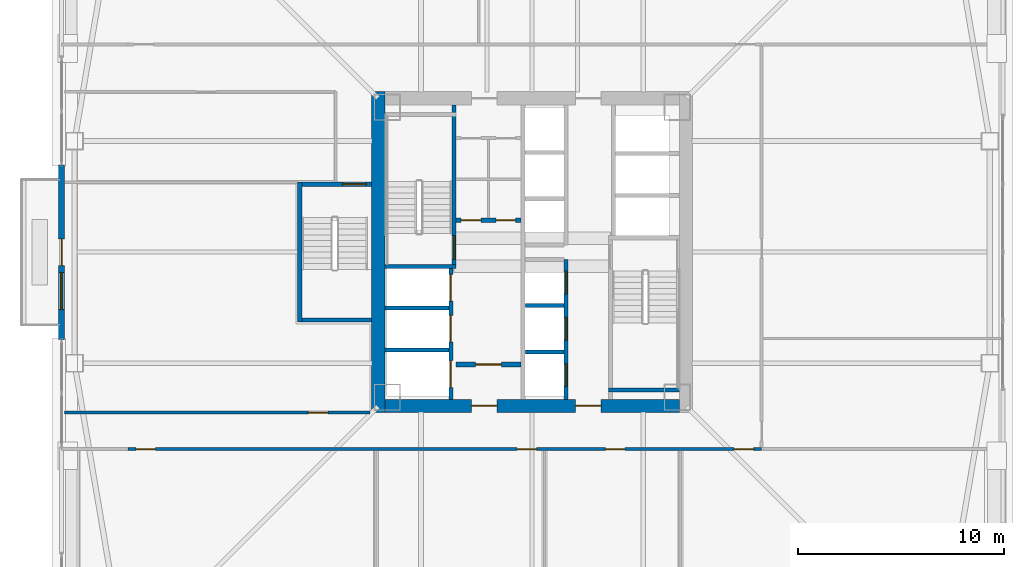
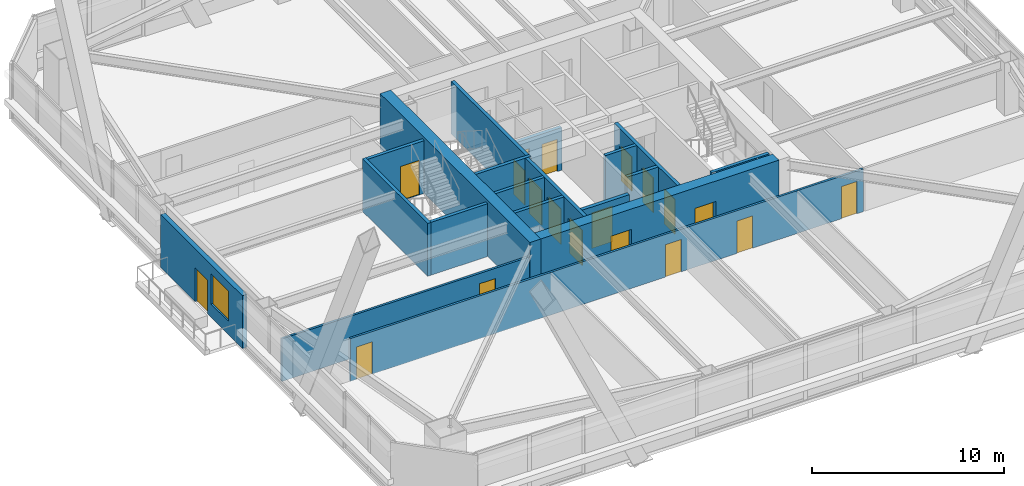
# One storey, part 62 of 75: 19 doors, 19 walls, 1 window, 20 openings.
"""IFC4 building model written with IfcOpenShell, lengths in metres."""

from ifc_helpers import new_model, si_unit, direction, frame, frame_2d, origin, place, context, subcontext, project, spatial, rectangle, extrude, material, layer, layer_set, type_object, element, fill, save


model = new_model("IFC4")

# Units and contexts
model_context = context("Model", 3, precision=1e-05, world=origin(), true_north=direction((0.0, 1.0)))
body_context = subcontext(model_context, "Body", "Model", "MODEL_VIEW")
ifc_project = project(units=[si_unit("LENGTHUNIT", "METRE"), si_unit("AREAUNIT", "SQUARE_METRE"), si_unit("VOLUMEUNIT", "CUBIC_METRE"), si_unit("PLANEANGLEUNIT", "RADIAN"), si_unit("MASSUNIT", "GRAM", prefix="KILO")], contexts=[model_context])

# Site, building, storey
site_placement = place(None, origin())
site = spatial("IfcSite", under=ifc_project, at=site_placement, CompositionType="ELEMENT")
building_placement = place(site_placement, origin())
building = spatial("IfcBuilding", under=site, at=building_placement, Name="Tashvorn Skyway Center", CompositionType="ELEMENT")
storey_placement = place(building_placement, frame((0.0, 0.0, 45.89990234375)))
storey = spatial("IfcBuildingStorey", under=building, at=storey_placement, Name="L11", CompositionType="ELEMENT", Elevation=45.89990234375)

# Wall
ifc_material_1 = material(Name="Concrete C60/75", Category="concrete")
ifc_layer_1 = layer(ifc_material_1, 0.64990234375)
ifc_layer_set_1 = layer_set([ifc_layer_1], Name="Concrete C60/75")
wall_type_1 = type_object("IfcWallType", Name="WALL-CORE-650", PredefinedType="SHEAR", material=ifc_layer_set_1)
wall_1_placement = place(storey_placement, frame((34.52490234375, 24.199951171875, 0.0), z_axis=(0.0, 0.0, 1.0), x_axis=(0.0, 1.0, 0.0)))
element("IfcWall", 1, at=wall_1_placement, inside=storey, type_object=wall_type_1, Name="Tower 1 L11 West Core Shear Wall", PredefinedType="SHEAR", context=body_context, shape_type="SweptSolid", body=[
    extrude(rectangle(XDim=15.60009765625, YDim=0.64990234375, at=frame_2d((7.800048828125, 0.0))), origin(), (0.0, 0.0, 1.0), 3.550048828125),
])

# Wall, openings, doors
wall_2_placement = place(storey_placement, frame((49.14990234375, 24.52490234375, 0.0), z_axis=(0.0, 0.0, 1.0), x_axis=(-1.0, 0.0, 0.0)))
wall_2 = element("IfcWall", 2, at=wall_2_placement, inside=storey, type_object=wall_type_1, Name="Tower 1 L11 South Core Shear Wall", PredefinedType="SHEAR", context=body_context, shape_type="SweptSolid", body=[
    extrude(rectangle(XDim=14.2998046875, YDim=0.64990234375, at=frame_2d((7.14990234375, 0.0))), origin(), (0.0, 0.0, 1.0), 3.550048828125),
])
opening_1_placement = place(wall_2_placement, frame((8.85009765625, 0.0, 0.0)))
opening_1 = element("IfcOpeningElement", 3, at=opening_1_placement, cuts=wall_2, Name="Opening D-FFL-1250", PredefinedType="OPENING", context=body_context, shape_type="SweptSolid", body=[
    extrude(rectangle(XDim=1.25, YDim=2.25, at=frame_2d((0.625, 1.125))), frame((0.0, 0.3349609375, 0.0), z_axis=(0.0, -1.0, 0.0), x_axis=(1.0, 0.0, 0.0)), (0.0, 0.0, 1.0), 0.669921875),
])
opening_2_placement = place(wall_2_placement, frame((3.800048828125, 0.0, 0.0)))
opening_2 = element("IfcOpeningElement", 4, at=opening_2_placement, cuts=wall_2, Name="Opening D-FFL-1250", PredefinedType="OPENING", context=body_context, shape_type="SweptSolid", body=[
    extrude(rectangle(XDim=1.25, YDim=2.25, at=frame_2d((0.625, 1.125))), frame((0.0, 0.3349609375, 0.0), z_axis=(0.0, -1.0, 0.0), x_axis=(1.0, 0.0, 0.0)), (0.0, 0.0, 1.0), 0.669921875),
])
ifc_material_2 = material(Name="Hollow galvanized steel fire door assembly", Category="steel")
door_type_1 = type_object("IfcDoorType", Name="DOOR-FFL-1250", OperationType="NOTDEFINED", PredefinedType="DOOR", material=ifc_material_2)
door_1_placement = place(opening_1_placement, origin())
door_1 = element("IfcDoor", 5, at=door_1_placement, inside=storey, type_object=door_type_1, Name="Tower 1 L11 Core South Firefighting Exit Door", OperationType="SINGLE_SWING_LEFT", OverallHeight=2.25, OverallWidth=1.25, PredefinedType="DOOR", context=body_context, shape_type="SweptSolid", body=[
    extrude(rectangle(XDim=1.25, YDim=2.25, at=frame_2d((0.625, 1.125))), frame((0.0, 0.02490234375, 0.0), z_axis=(0.0, -1.0, 0.0), x_axis=(1.0, 0.0, 0.0)), (0.0, 0.0, 1.0), 0.050048828125),
])
fill(opening_1, door_1)
door_2_placement = place(opening_2_placement, origin())
door_2 = element("IfcDoor", 6, at=door_2_placement, inside=storey, type_object=door_type_1, Name="Tower 1 L11 Core South Lift Lobby Door", OperationType="SINGLE_SWING_RIGHT", OverallHeight=2.25, OverallWidth=1.25, PredefinedType="DOOR", context=body_context, shape_type="SweptSolid", body=[
    extrude(rectangle(XDim=1.25, YDim=2.25, at=frame_2d((0.625, 1.125))), frame((0.0, 0.02490234375, 0.0), z_axis=(0.0, -1.0, 0.0), x_axis=(1.0, 0.0, 0.0)), (0.0, 0.0, 1.0), 0.050048828125),
])
fill(opening_2, door_2)

# Wall, openings, door, window
ifc_material_3 = material(Name="Precast concrete C40/50", Category="concrete")
ifc_layer_2 = layer(ifc_material_3, 0.280029296875)
ifc_layer_set_2 = layer_set([ifc_layer_2], Name="Precast concrete C40/50")
wall_type_2 = type_object("IfcWallType", Name="WALL-EXT-280", PredefinedType="SOLIDWALL", material=ifc_layer_set_2)
wall_3_placement = place(storey_placement, frame((19.1201171875, 27.75, 0.0), z_axis=(0.0, 0.0, 1.0), x_axis=(0.0, 1.0, 0.0)))
wall_3 = element("IfcWall", 7, at=wall_3_placement, inside=storey, type_object=wall_type_2, Name="Tower 1 L11 West Terrace Portal Wall", PredefinedType="SOLIDWALL", context=body_context, shape_type="SweptSolid", body=[
    extrude(rectangle(XDim=8.5, YDim=0.280029296875, at=frame_2d((4.25, 0.0))), origin(), (0.0, 0.0, 1.0), 3.35009765625),
])
opening_3_placement = place(wall_3_placement, frame((3.60009765625, 0.0, 0.0)))
opening_3 = element("IfcOpeningElement", 8, at=opening_3_placement, cuts=wall_3, Name="Opening D-TER-1300", PredefinedType="OPENING", context=body_context, shape_type="SweptSolid", body=[
    extrude(rectangle(XDim=1.300048828125, YDim=2.14990234375, at=frame_2d((0.64990234375, 1.074951171875))), frame((0.0, 0.14990234375, 0.0), z_axis=(0.0, -1.0, 0.0), x_axis=(1.0, 0.0, 0.0)), (0.0, 0.0, 1.0), 0.300048828125),
])
opening_4_placement = place(wall_3_placement, frame((1.4599609375, 0.0, 0.85009765625)))
opening_4 = element("IfcOpeningElement", 9, at=opening_4_placement, cuts=wall_3, Name="Opening WIN-1800", PredefinedType="OPENING", context=body_context, shape_type="SweptSolid", body=[
    extrude(rectangle(XDim=1.800048828125, YDim=1.919921875, at=frame_2d((0.89990234375, 0.9599609375))), frame((0.0, 0.14990234375, 0.0), z_axis=(0.0, -1.0, 0.0), x_axis=(1.0, 0.0, 0.0)), (0.0, 0.0, 1.0), 0.300048828125),
])
ifc_material_4 = material(Name="Thermally broken bronze-anodized aluminium 6063-T6", Category="aluminium")
door_type_2 = type_object("IfcDoorType", Name="DOOR-TERR-1300", OperationType="NOTDEFINED", PredefinedType="DOOR", material=ifc_material_4)
door_3_placement = place(opening_3_placement, origin())
door_3 = element("IfcDoor", 10, at=door_3_placement, inside=storey, type_object=door_type_2, Name="Tower 1 L11 Terrace Access Door", OperationType="SINGLE_SWING_LEFT", OverallHeight=2.14990234375, OverallWidth=1.300048828125, PredefinedType="DOOR", context=body_context, shape_type="SweptSolid", body=[
    extrude(rectangle(XDim=1.300048828125, YDim=2.14990234375, at=frame_2d((0.64990234375, 1.074951171875))), frame((0.0, 0.02490234375, 0.0), z_axis=(0.0, -1.0, 0.0), x_axis=(1.0, 0.0, 0.0)), (0.0, 0.0, 1.0), 0.050048828125),
])
fill(opening_3, door_3)
ifc_material_5 = material(Name="Low-E solar-control double insulating safety glass", Category="glass")
window_type = type_object("IfcWindowType", Name="WIN-TERR-1800", PartitioningType="SINGLE_PANEL", PredefinedType="WINDOW", material=ifc_material_5)
window_placement = place(opening_4_placement, origin())
window = element("IfcWindow", 11, at=window_placement, inside=storey, type_object=window_type, Name="Tower 1 L11 Terrace Window", OverallHeight=1.919921875, OverallWidth=1.800048828125, PartitioningType="SINGLE_PANEL", PredefinedType="WINDOW", context=body_context, shape_type="SweptSolid", body=[
    extrude(rectangle(XDim=1.800048828125, YDim=1.919921875, at=frame_2d((0.89990234375, 0.9599609375))), frame((0.0, 0.030029296875, 0.0), z_axis=(0.0, -1.0, 0.0), x_axis=(1.0, 0.0, 0.0)), (0.0, 0.0, 1.0), 0.06005859375),
])
fill(opening_4, window)

# Wall, openings, doors
ifc_material_6 = material(Name="Concrete C40/50", Category="concrete")
ifc_layer_3 = layer(ifc_material_6, 0.219970703125)
ifc_layer_set_3 = layer_set([ifc_layer_3], Name="Concrete C40/50")
wall_type_3 = type_object("IfcWallType", Name="WALL-FFL-220", PredefinedType="SOLIDWALL", material=ifc_layer_set_3)
wall_4_placement = place(storey_placement, frame((38.300048828125, 33.56005859375, 0.0), z_axis=(0.0, 0.0, 1.0), x_axis=(1.0, 0.0, 0.0)))
wall_4 = element("IfcWall", 12, at=wall_4_placement, inside=storey, type_object=wall_type_3, Name="Tower 1 L11 Firefighting Lobby North Wall", PredefinedType="SOLIDWALL", context=body_context, shape_type="SweptSolid", body=[
    extrude(rectangle(XDim=3.14990234375, YDim=0.219970703125, at=frame_2d((1.574951171875, 0.0))), origin(), (0.0, 0.0, 1.0), 2.703125),
])
opening_5_placement = place(wall_4_placement, frame((0.25, 0.0, 0.0)))
opening_5 = element("IfcOpeningElement", 13, at=opening_5_placement, cuts=wall_4, Name="Opening D-RT-950", PredefinedType="OPENING", context=body_context, shape_type="SweptSolid", body=[
    extrude(rectangle(XDim=0.949951171875, YDim=2.050048828125, at=frame_2d((0.47509765625, 1.02490234375))), frame((0.0, 0.119873046875, 0.0), z_axis=(0.0, -1.0, 0.0), x_axis=(1.0, 0.0, 0.0)), (0.0, 0.0, 1.0), 0.239990234375),
])
opening_6_placement = place(wall_4_placement, frame((1.949951171875, 0.0, 0.0)))
opening_6 = element("IfcOpeningElement", 14, at=opening_6_placement, cuts=wall_4, Name="Opening D-RT-950", PredefinedType="OPENING", context=body_context, shape_type="SweptSolid", body=[
    extrude(rectangle(XDim=0.949951171875, YDim=2.050048828125, at=frame_2d((0.47509765625, 1.02490234375))), frame((0.0, 0.119873046875, 0.0), z_axis=(0.0, -1.0, 0.0), x_axis=(1.0, 0.0, 0.0)), (0.0, 0.0, 1.0), 0.239990234375),
])
door_type_3 = type_object("IfcDoorType", Name="DOOR-RATED-950", OperationType="NOTDEFINED", PredefinedType="DOOR", material=ifc_material_2)
door_4_placement = place(opening_5_placement, origin())
door_4 = element("IfcDoor", 15, at=door_4_placement, inside=storey, type_object=door_type_3, Name="Tower 1 L11 Core Mail Room Door", OperationType="SINGLE_SWING_LEFT", OverallHeight=2.050048828125, OverallWidth=0.949951171875, PredefinedType="DOOR", context=body_context, shape_type="SweptSolid", body=[
    extrude(rectangle(XDim=0.949951171875, YDim=2.050048828125, at=frame_2d((0.47509765625, 1.02490234375))), frame((0.0, 0.02490234375, 0.0), z_axis=(0.0, -1.0, 0.0), x_axis=(1.0, 0.0, 0.0)), (0.0, 0.0, 1.0), 0.050048828125),
])
fill(opening_5, door_4)
door_5_placement = place(opening_6_placement, origin())
door_5 = element("IfcDoor", 16, at=door_5_placement, inside=storey, type_object=door_type_3, Name="Tower 1 L11 Core Supply Closet Door", OperationType="SINGLE_SWING_RIGHT", OverallHeight=2.050048828125, OverallWidth=0.949951171875, PredefinedType="DOOR", context=body_context, shape_type="SweptSolid", body=[
    extrude(rectangle(XDim=0.949951171875, YDim=2.050048828125, at=frame_2d((0.47509765625, 1.02490234375))), frame((0.0, 0.02490234375, 0.0), z_axis=(0.0, -1.0, 0.0), x_axis=(1.0, 0.0, 0.0)), (0.0, 0.0, 1.0), 0.050048828125),
])
fill(opening_6, door_5)

# Wall, opening, door
wall_5_placement = place(storey_placement, frame((38.300048828125, 26.5400390625, 0.0), z_axis=(0.0, 0.0, 1.0), x_axis=(1.0, 0.0, 0.0)))
wall_5 = element("IfcWall", 17, at=wall_5_placement, inside=storey, type_object=wall_type_3, Name="Tower 1 L11 Firefighting Lobby South Wall", PredefinedType="SOLIDWALL", context=body_context, shape_type="SweptSolid", body=[
    extrude(rectangle(XDim=3.14990234375, YDim=0.219970703125, at=frame_2d((1.574951171875, 0.0))), origin(), (0.0, 0.0, 1.0), 2.703125),
])
opening_7_placement = place(wall_5_placement, frame((0.949951171875, 0.0, 0.0)))
opening_7 = element("IfcOpeningElement", 18, at=opening_7_placement, cuts=wall_5, Name="Opening D-FFL-1250", PredefinedType="OPENING", context=body_context, shape_type="SweptSolid", body=[
    extrude(rectangle(XDim=1.25, YDim=2.25, at=frame_2d((0.625, 1.125))), frame((0.0, 0.119873046875, 0.0), z_axis=(0.0, -1.0, 0.0), x_axis=(1.0, 0.0, 0.0)), (0.0, 0.0, 1.0), 0.239990234375),
])
door_6_placement = place(opening_7_placement, origin())
door_6 = element("IfcDoor", 19, at=door_6_placement, inside=storey, type_object=door_type_1, Name="Tower 1 L11 Firefighting Lobby Egress Door", OperationType="SINGLE_SWING_LEFT", OverallHeight=2.25, OverallWidth=1.25, PredefinedType="DOOR", context=body_context, shape_type="SweptSolid", body=[
    extrude(rectangle(XDim=1.25, YDim=2.25, at=frame_2d((0.625, 1.125))), frame((0.0, 0.02490234375, 0.0), z_axis=(0.0, -1.0, 0.0), x_axis=(1.0, 0.0, 0.0)), (0.0, 0.0, 1.0), 0.050048828125),
])
fill(opening_7, door_6)

# Wall, openings, doors
ifc_material_7 = material(Name="Gypsum board on cold-formed steel stud framing", Category="steel")
ifc_layer_4 = layer(ifc_material_7, 0.135009765625)
ifc_layer_set_4 = layer_set([ifc_layer_4], Name="Gypsum board on cold-formed steel stud framing")
wall_type_4 = type_object("IfcWallType", Name="WALL-PART-135", PredefinedType="PARTITIONING", material=ifc_layer_set_4)
wall_6_placement = place(storey_placement, frame((53.14990234375, 22.429931640625, 0.0), z_axis=(0.0, 0.0, 1.0), x_axis=(-1.0, 0.0, 0.0)))
wall_6 = element("IfcWall", 20, at=wall_6_placement, inside=storey, type_object=wall_type_4, Name="Tower 1 L11 South Suite Wall", PredefinedType="PARTITIONING", context=body_context, shape_type="SweptSolid", body=[
    extrude(rectangle(XDim=30.7998046875, YDim=0.135009765625, at=frame_2d((15.39990234375, 0.0))), origin(), (0.0, 0.0, 1.0), 2.703125),
])
opening_8_placement = place(wall_6_placement, frame((29.469970703125, 0.0, 0.0)))
opening_8 = element("IfcOpeningElement", 21, at=opening_8_placement, cuts=wall_6, Name="Opening D-INT-950", PredefinedType="OPENING", context=body_context, shape_type="SweptSolid", body=[
    extrude(rectangle(XDim=0.949951171875, YDim=2.050048828125, at=frame_2d((0.47509765625, 1.02490234375))), frame((0.0, 0.077392578125, 0.0), z_axis=(0.0, -1.0, 0.0), x_axis=(1.0, 0.0, 0.0)), (0.0, 0.0, 1.0), 0.155029296875),
])
opening_9_placement = place(wall_6_placement, frame((10.929931640625, 0.0, 0.0)))
opening_9 = element("IfcOpeningElement", 22, at=opening_9_placement, cuts=wall_6, Name="Opening D-INT-950", PredefinedType="OPENING", context=body_context, shape_type="SweptSolid", body=[
    extrude(rectangle(XDim=0.949951171875, YDim=2.050048828125, at=frame_2d((0.47509765625, 1.02490234375))), frame((0.0, 0.077392578125, 0.0), z_axis=(0.0, -1.0, 0.0), x_axis=(1.0, 0.0, 0.0)), (0.0, 0.0, 1.0), 0.155029296875),
])
opening_10_placement = place(wall_6_placement, frame((6.646240234375, 0.0, 0.0)))
opening_10 = element("IfcOpeningElement", 23, at=opening_10_placement, cuts=wall_6, Name="Opening D-INT-950", PredefinedType="OPENING", context=body_context, shape_type="SweptSolid", body=[
    extrude(rectangle(XDim=0.949951171875, YDim=2.050048828125, at=frame_2d((0.47509765625, 1.02490234375))), frame((0.0, 0.077392578125, 0.0), z_axis=(0.0, -1.0, 0.0), x_axis=(1.0, 0.0, 0.0)), (0.0, 0.0, 1.0), 0.155029296875),
])
opening_11_placement = place(wall_6_placement, frame((0.3798828125, 0.0, 0.0)))
opening_11 = element("IfcOpeningElement", 24, at=opening_11_placement, cuts=wall_6, Name="Opening D-INT-950", PredefinedType="OPENING", context=body_context, shape_type="SweptSolid", body=[
    extrude(rectangle(XDim=0.949951171875, YDim=2.050048828125, at=frame_2d((0.47509765625, 1.02490234375))), frame((0.0, 0.077392578125, 0.0), z_axis=(0.0, -1.0, 0.0), x_axis=(1.0, 0.0, 0.0)), (0.0, 0.0, 1.0), 0.155029296875),
])
ifc_material_8 = material(Name="Solid-core architectural oak veneer door")
door_type_4 = type_object("IfcDoorType", Name="DOOR-INT-950", OperationType="NOTDEFINED", PredefinedType="DOOR", material=ifc_material_8)
door_7_placement = place(opening_8_placement, origin())
door_7 = element("IfcDoor", 25, at=door_7_placement, inside=storey, type_object=door_type_4, Name="Tower 1 L11 Open Plan Office Door", OperationType="SINGLE_SWING_RIGHT", OverallHeight=2.050048828125, OverallWidth=0.949951171875, PredefinedType="DOOR", context=body_context, shape_type="SweptSolid", body=[
    extrude(rectangle(XDim=0.949951171875, YDim=2.050048828125, at=frame_2d((0.47509765625, 1.02490234375))), frame((0.0, 0.02490234375, 0.0), z_axis=(0.0, -1.0, 0.0), x_axis=(1.0, 0.0, 0.0)), (0.0, 0.0, 1.0), 0.050048828125),
])
fill(opening_8, door_7)
door_8_placement = place(opening_9_placement, origin())
door_8 = element("IfcDoor", 26, at=door_8_placement, inside=storey, type_object=door_type_4, Name="Tower 1 L11 Boardroom Door", OperationType="SINGLE_SWING_LEFT", OverallHeight=2.050048828125, OverallWidth=0.949951171875, PredefinedType="DOOR", context=body_context, shape_type="SweptSolid", body=[
    extrude(rectangle(XDim=0.949951171875, YDim=2.050048828125, at=frame_2d((0.47509765625, 1.02490234375))), frame((0.0, 0.02490234375, 0.0), z_axis=(0.0, -1.0, 0.0), x_axis=(1.0, 0.0, 0.0)), (0.0, 0.0, 1.0), 0.050048828125),
])
fill(opening_9, door_8)
door_9_placement = place(opening_10_placement, origin())
door_9 = element("IfcDoor", 27, at=door_9_placement, inside=storey, type_object=door_type_4, Name="Tower 1 L11 Boardroom Door", OperationType="SINGLE_SWING_RIGHT", OverallHeight=2.050048828125, OverallWidth=0.949951171875, PredefinedType="DOOR", context=body_context, shape_type="SweptSolid", body=[
    extrude(rectangle(XDim=0.949951171875, YDim=2.050048828125, at=frame_2d((0.47509765625, 1.02490234375))), frame((0.0, 0.02490234375, 0.0), z_axis=(0.0, -1.0, 0.0), x_axis=(1.0, 0.0, 0.0)), (0.0, 0.0, 1.0), 0.050048828125),
])
fill(opening_10, door_9)
door_10_placement = place(opening_11_placement, origin())
door_10 = element("IfcDoor", 28, at=door_10_placement, inside=storey, type_object=door_type_4, Name="Tower 1 L11 Staff Fitness Club Door", OperationType="SINGLE_SWING_LEFT", OverallHeight=2.050048828125, OverallWidth=0.949951171875, PredefinedType="DOOR", context=body_context, shape_type="SweptSolid", body=[
    extrude(rectangle(XDim=0.949951171875, YDim=2.050048828125, at=frame_2d((0.47509765625, 1.02490234375))), frame((0.0, 0.02490234375, 0.0), z_axis=(0.0, -1.0, 0.0), x_axis=(1.0, 0.0, 0.0)), (0.0, 0.0, 1.0), 0.050048828125),
])
fill(opening_11, door_10)

# Wall, opening, door
wall_7_placement = place(storey_placement, frame((19.27001953125, 24.199951171875, 0.0), z_axis=(0.0, 0.0, 1.0), x_axis=(1.0, 0.0, 0.0)))
wall_7 = element("IfcWall", 29, at=wall_7_placement, inside=storey, type_object=wall_type_4, Name="Tower 1 L11 West Suite South Wall", PredefinedType="PARTITIONING", context=body_context, shape_type="SweptSolid", body=[
    extrude(rectangle(XDim=14.85009765625, YDim=0.135009765625, at=frame_2d((7.425048828125, 0.0))), origin(), (0.0, 0.0, 1.0), 2.703125),
])
opening_12_placement = place(wall_7_placement, frame((11.85498046875, 0.0, 0.0)))
opening_12 = element("IfcOpeningElement", 30, at=opening_12_placement, cuts=wall_7, Name="Opening D-INT-950", PredefinedType="OPENING", context=body_context, shape_type="SweptSolid", body=[
    extrude(rectangle(XDim=0.949951171875, YDim=2.050048828125, at=frame_2d((0.47509765625, 1.02490234375))), frame((0.0, 0.077392578125, 0.0), z_axis=(0.0, -1.0, 0.0), x_axis=(1.0, 0.0, 0.0)), (0.0, 0.0, 1.0), 0.155029296875),
])
door_11_placement = place(opening_12_placement, origin())
door_11 = element("IfcDoor", 31, at=door_11_placement, inside=storey, type_object=door_type_4, Name="Tower 1 L11 Public Restroom Door", OperationType="SINGLE_SWING_LEFT", OverallHeight=2.050048828125, OverallWidth=0.949951171875, PredefinedType="DOOR", context=body_context, shape_type="SweptSolid", body=[
    extrude(rectangle(XDim=0.949951171875, YDim=2.050048828125, at=frame_2d((0.47509765625, 1.02490234375))), frame((0.0, 0.02490234375, 0.0), z_axis=(0.0, -1.0, 0.0), x_axis=(1.0, 0.0, 0.0)), (0.0, 0.0, 1.0), 0.050048828125),
])
fill(opening_12, door_11)

# Walls
ifc_layer_5 = layer(ifc_material_6, 0.199951171875)
ifc_layer_set_5 = layer_set([ifc_layer_5], Name="Concrete C40/50")
wall_type_5 = type_object("IfcWallType", Name="WALL-SHAFT-200", PredefinedType="SOLIDWALL", material=ifc_layer_set_5)
for number, where, z_axis, x_axis, name in (
    (32, (34.85009765625, 27.25, 0.0), (0.0, 0.0, 1.0), (1.0, 0.0, 0.0), "Tower 1 L11 FSAE Shaft Divider"),
    (33, (34.85009765625, 29.280029296875, 0.0), (0.0, 0.0, 1.0), (1.0, 0.0, 0.0), "Tower 1 L11 FSAE Shaft Divider"),
):
    element("IfcWall", number, at=place(storey_placement, frame(where, z_axis=z_axis, x_axis=x_axis)), inside=storey, type_object=wall_type_5, Name=name, PredefinedType="SOLIDWALL", context=body_context, shape_type="SweptSolid", body=[
        extrude(rectangle(XDim=3.099853515625, YDim=0.199951171875, at=frame_2d((1.5498046875, 0.0))), origin(), (0.0, 0.0, 1.0), 3.35009765625),
    ])

# Wall, openings, doors
wall_8_placement = place(storey_placement, frame((43.64990234375, 24.85009765625, 0.0), z_axis=(0.0, 0.0, 1.0), x_axis=(0.0, 1.0, 0.0)))
wall_8 = element("IfcWall", 34, at=wall_8_placement, inside=storey, type_object=wall_type_5, Name="Tower 1 L11 Low-Rise Core Wall", PredefinedType="SOLIDWALL", context=body_context, shape_type="SweptSolid", body=[
    extrude(rectangle(XDim=6.7998046875, YDim=0.199951171875, at=frame_2d((3.39990234375, 0.0))), origin(), (0.0, 0.0, 1.0), 3.35009765625),
])
opening_13_placement = place(wall_8_placement, frame((0.625, 0.0, 0.0)))
opening_13 = element("IfcOpeningElement", 35, at=opening_13_placement, cuts=wall_8, Name="Opening LD-LR-T1-1-L11", PredefinedType="OPENING", context=body_context, shape_type="SweptSolid", body=[
    extrude(rectangle(XDim=1.10009765625, YDim=2.199951171875, at=frame_2d((0.550048828125, 1.10009765625))), frame((0.0, 0.10986328125, 0.0), z_axis=(0.0, -1.0, 0.0), x_axis=(1.0, 0.0, 0.0)), (0.0, 0.0, 1.0), 0.219970703125),
])
opening_14_placement = place(wall_8_placement, frame((2.875, 0.0, 0.0)))
opening_14 = element("IfcOpeningElement", 36, at=opening_14_placement, cuts=wall_8, Name="Opening LD-LR-T1-2-L11", PredefinedType="OPENING", context=body_context, shape_type="SweptSolid", body=[
    extrude(rectangle(XDim=1.10009765625, YDim=2.199951171875, at=frame_2d((0.550048828125, 1.10009765625))), frame((0.0, 0.10986328125, 0.0), z_axis=(0.0, -1.0, 0.0), x_axis=(1.0, 0.0, 0.0)), (0.0, 0.0, 1.0), 0.219970703125),
])
opening_15_placement = place(wall_8_placement, frame((5.125, 0.0, 0.0)))
opening_15 = element("IfcOpeningElement", 37, at=opening_15_placement, cuts=wall_8, Name="Opening LD-LR-T1-3-L11", PredefinedType="OPENING", context=body_context, shape_type="SweptSolid", body=[
    extrude(rectangle(XDim=1.10009765625, YDim=2.199951171875, at=frame_2d((0.550048828125, 1.10009765625))), frame((0.0, 0.10986328125, 0.0), z_axis=(0.0, -1.0, 0.0), x_axis=(1.0, 0.0, 0.0)), (0.0, 0.0, 1.0), 0.219970703125),
])
ifc_material_9 = material(Name="Stainless steel landing door", Category="steel")
door_type_5 = type_object("IfcDoorType", Name="DOOR-LIFT-1100", OperationType="SLIDING_TO_LEFT", PredefinedType="DOOR", material=ifc_material_9)
door_12_placement = place(opening_13_placement, origin())
door_12 = element("IfcDoor", 38, at=door_12_placement, inside=storey, type_object=door_type_5, Name="Lift LR-T1-1 L11 Landing Door", OperationType="SLIDING_TO_LEFT", OverallHeight=2.199951171875, OverallWidth=1.10009765625, PredefinedType="DOOR", context=body_context, shape_type="SweptSolid", body=[
    extrude(rectangle(XDim=1.10009765625, YDim=2.199951171875, at=frame_2d((0.550048828125, 1.10009765625))), frame((0.0, 0.02490234375, 0.0), z_axis=(0.0, -1.0, 0.0), x_axis=(1.0, 0.0, 0.0)), (0.0, 0.0, 1.0), 0.050048828125),
])
fill(opening_13, door_12)
door_13_placement = place(opening_14_placement, origin())
door_13 = element("IfcDoor", 39, at=door_13_placement, inside=storey, type_object=door_type_5, Name="Lift LR-T1-2 L11 Landing Door", OperationType="SLIDING_TO_LEFT", OverallHeight=2.199951171875, OverallWidth=1.10009765625, PredefinedType="DOOR", context=body_context, shape_type="SweptSolid", body=[
    extrude(rectangle(XDim=1.10009765625, YDim=2.199951171875, at=frame_2d((0.550048828125, 1.10009765625))), frame((0.0, 0.02490234375, 0.0), z_axis=(0.0, -1.0, 0.0), x_axis=(1.0, 0.0, 0.0)), (0.0, 0.0, 1.0), 0.050048828125),
])
fill(opening_14, door_13)
door_14_placement = place(opening_15_placement, origin())
door_14 = element("IfcDoor", 40, at=door_14_placement, inside=storey, type_object=door_type_5, Name="Lift LR-T1-3 L11 Landing Door", OperationType="SLIDING_TO_LEFT", OverallHeight=2.199951171875, OverallWidth=1.10009765625, PredefinedType="DOOR", context=body_context, shape_type="SweptSolid", body=[
    extrude(rectangle(XDim=1.10009765625, YDim=2.199951171875, at=frame_2d((0.550048828125, 1.10009765625))), frame((0.0, 0.02490234375, 0.0), z_axis=(0.0, -1.0, 0.0), x_axis=(1.0, 0.0, 0.0)), (0.0, 0.0, 1.0), 0.050048828125),
])
fill(opening_15, door_14)

# Walls
for number, where, z_axis, x_axis, name in (
    (41, (41.669921875, 27.14990234375, 0.0), (0.0, 0.0, 1.0), (1.0, 0.0, 0.0), "Tower 1 L11 Low-Rise Shaft Divider"),
    (42, (41.669921875, 29.39990234375, 0.0), (0.0, 0.0, 1.0), (1.0, 0.0, 0.0), "Tower 1 L11 Low-Rise Shaft Divider"),
):
    element("IfcWall", number, at=place(storey_placement, frame(where, z_axis=z_axis, x_axis=x_axis)), inside=storey, type_object=wall_type_5, Name=name, PredefinedType="SOLIDWALL", context=body_context, shape_type="SweptSolid", body=[
        extrude(rectangle(XDim=1.880126953125, YDim=0.199951171875, at=frame_2d((0.93994140625, 0.0))), origin(), (0.0, 0.0, 1.0), 3.35009765625),
    ])

# Wall, opening, door
ifc_layer_6 = layer(ifc_material_6, 0.199951171875)
ifc_layer_set_6 = layer_set([ifc_layer_6], Name="Concrete C40/50")
wall_type_6 = type_object("IfcWallType", Name="WALL-STSHF-200", PredefinedType="SHEAR", material=ifc_layer_set_6)
wall_9_placement = place(storey_placement, frame((38.199951171875, 31.199951171875, 0.0), z_axis=(0.0, 0.0, 1.0), x_axis=(0.0, 1.0, 0.0)))
wall_9 = element("IfcWall", 43, at=wall_9_placement, inside=storey, type_object=wall_type_6, Name="Tower 1 L11 Stair 1 Enclosure Wall", PredefinedType="SHEAR", context=body_context, shape_type="SweptSolid", body=[
    extrude(rectangle(XDim=7.949951171875, YDim=0.199951171875, at=frame_2d((3.97509765625, 0.0))), origin(), (0.0, 0.0, 1.0), 3.35009765625),
])
opening_16_placement = place(wall_9_placement, frame((0.449951171875, 0.0, 0.0)))
opening_16 = element("IfcOpeningElement", 44, at=opening_16_placement, cuts=wall_9, Name="Opening D-ST-1150", PredefinedType="OPENING", context=body_context, shape_type="SweptSolid", body=[
    extrude(rectangle(XDim=1.14990234375, YDim=2.199951171875, at=frame_2d((0.574951171875, 1.10009765625))), frame((0.0, 0.10986328125, 0.0), z_axis=(0.0, -1.0, 0.0), x_axis=(1.0, 0.0, 0.0)), (0.0, 0.0, 1.0), 0.219970703125),
])
door_type_6 = type_object("IfcDoorType", Name="DOOR-STAIR-1150", OperationType="NOTDEFINED", PredefinedType="DOOR", material=ifc_material_2)
door_15_placement = place(opening_16_placement, origin())
door_15 = element("IfcDoor", 45, at=door_15_placement, inside=storey, type_object=door_type_6, Name="Tower 1 L11 Exit Stair 1 Door", OperationType="SINGLE_SWING_RIGHT", OverallHeight=2.199951171875, OverallWidth=1.14990234375, PredefinedType="DOOR", context=body_context, shape_type="SweptSolid", body=[
    extrude(rectangle(XDim=1.14990234375, YDim=2.199951171875, at=frame_2d((0.574951171875, 1.10009765625))), frame((0.0, 0.02490234375, 0.0), z_axis=(0.0, -1.0, 0.0), x_axis=(1.0, 0.0, 0.0)), (0.0, 0.0, 1.0), 0.050048828125),
])
fill(opening_16, door_15)

# Walls
for number, where, z_axis, x_axis, name in (
    (46, (34.85009765625, 31.300048828125, 0.0), (0.0, 0.0, 1.0), (1.0, 0.0, 0.0), "Tower 1 L11 Stair 1 South Wall"),
    (47, (45.699951171875, 25.300048828125, 0.0), (0.0, 0.0, 1.0), (1.0, 0.0, 0.0), "Tower 1 L11 Stair 2 South Wall"),
):
    element("IfcWall", number, at=place(storey_placement, frame(where, z_axis=z_axis, x_axis=x_axis)), inside=storey, type_object=wall_type_6, Name=name, PredefinedType="SHEAR", context=body_context, shape_type="SweptSolid", body=[
        extrude(rectangle(XDim=3.449951171875, YDim=0.199951171875, at=frame_2d((1.72509765625, 0.0))), origin(), (0.0, 0.0, 1.0), 3.35009765625),
    ])

# Wall, openings, doors
wall_10_placement = place(storey_placement, frame((38.050048828125, 24.85009765625, 0.0), z_axis=(0.0, 0.0, 1.0), x_axis=(0.0, 1.0, 0.0)))
wall_10 = element("IfcWall", 48, at=wall_10_placement, inside=storey, type_object=wall_type_6, Name="Tower 1 L11 FSAE and Goods Shaft Front Wall", PredefinedType="SHEAR", context=body_context, shape_type="SweptSolid", body=[
    extrude(rectangle(XDim=6.349853515625, YDim=0.199951171875, at=frame_2d((3.1748046875, 0.0))), origin(), (0.0, 0.0, 1.0), 3.35009765625),
])
opening_17_placement = place(wall_10_placement, frame((4.77490234375, 0.0, 0.0)))
opening_17 = element("IfcOpeningElement", 49, at=opening_17_placement, cuts=wall_10, Name="Opening LD-FF-T1-1-L11", PredefinedType="OPENING", context=body_context, shape_type="SweptSolid", body=[
    extrude(rectangle(XDim=1.300048828125, YDim=2.25, at=frame_2d((0.64990234375, 1.125))), frame((0.0, 0.10986328125, 0.0), z_axis=(0.0, -1.0, 0.0), x_axis=(1.0, 0.0, 0.0)), (0.0, 0.0, 1.0), 0.219970703125),
])
opening_18_placement = place(wall_10_placement, frame((2.77490234375, 0.0, 0.0)))
opening_18 = element("IfcOpeningElement", 50, at=opening_18_placement, cuts=wall_10, Name="Opening LD-FF-T1-2-L11", PredefinedType="OPENING", context=body_context, shape_type="SweptSolid", body=[
    extrude(rectangle(XDim=1.300048828125, YDim=2.25, at=frame_2d((0.64990234375, 1.125))), frame((0.0, 0.10986328125, 0.0), z_axis=(0.0, -1.0, 0.0), x_axis=(1.0, 0.0, 0.0)), (0.0, 0.0, 1.0), 0.219970703125),
])
opening_19_placement = place(wall_10_placement, frame((0.574951171875, 0.0, 0.0)))
opening_19 = element("IfcOpeningElement", 51, at=opening_19_placement, cuts=wall_10, Name="Opening LD-GD-T1-1-L11", PredefinedType="OPENING", context=body_context, shape_type="SweptSolid", body=[
    extrude(rectangle(XDim=1.300048828125, YDim=2.25, at=frame_2d((0.64990234375, 1.125))), frame((0.0, 0.10986328125, 0.0), z_axis=(0.0, -1.0, 0.0), x_axis=(1.0, 0.0, 0.0)), (0.0, 0.0, 1.0), 0.219970703125),
])
ifc_material_10 = material(Name="Stainless steel heavy-duty landing door", Category="steel")
door_type_7 = type_object("IfcDoorType", Name="DOOR-LIFT-1300", OperationType="SLIDING_TO_LEFT", PredefinedType="DOOR", material=ifc_material_10)
door_16_placement = place(opening_17_placement, origin())
door_16 = element("IfcDoor", 52, at=door_16_placement, inside=storey, type_object=door_type_7, Name="Lift FF-T1-1 L11 Landing Door", OperationType="SLIDING_TO_LEFT", OverallHeight=2.25, OverallWidth=1.300048828125, PredefinedType="DOOR", context=body_context, shape_type="SweptSolid", body=[
    extrude(rectangle(XDim=1.300048828125, YDim=2.25, at=frame_2d((0.64990234375, 1.125))), frame((0.0, 0.02490234375, 0.0), z_axis=(0.0, -1.0, 0.0), x_axis=(1.0, 0.0, 0.0)), (0.0, 0.0, 1.0), 0.050048828125),
])
fill(opening_17, door_16)
door_17_placement = place(opening_18_placement, origin())
door_17 = element("IfcDoor", 53, at=door_17_placement, inside=storey, type_object=door_type_7, Name="Lift FF-T1-2 L11 Landing Door", OperationType="SLIDING_TO_LEFT", OverallHeight=2.25, OverallWidth=1.300048828125, PredefinedType="DOOR", context=body_context, shape_type="SweptSolid", body=[
    extrude(rectangle(XDim=1.300048828125, YDim=2.25, at=frame_2d((0.64990234375, 1.125))), frame((0.0, 0.02490234375, 0.0), z_axis=(0.0, -1.0, 0.0), x_axis=(1.0, 0.0, 0.0)), (0.0, 0.0, 1.0), 0.050048828125),
])
fill(opening_18, door_17)
door_18_placement = place(opening_19_placement, origin())
door_18 = element("IfcDoor", 54, at=door_18_placement, inside=storey, type_object=door_type_7, Name="Lift GD-T1-1 L11 Landing Door", OperationType="SLIDING_TO_LEFT", OverallHeight=2.25, OverallWidth=1.300048828125, PredefinedType="DOOR", context=body_context, shape_type="SweptSolid", body=[
    extrude(rectangle(XDim=1.300048828125, YDim=2.25, at=frame_2d((0.64990234375, 1.125))), frame((0.0, 0.02490234375, 0.0), z_axis=(0.0, -1.0, 0.0), x_axis=(1.0, 0.0, 0.0)), (0.0, 0.0, 1.0), 0.050048828125),
])
fill(opening_19, door_18)

# Wall
wall_11_placement = place(storey_placement, frame((30.699951171875, 28.60009765625, 0.0), z_axis=(0.0, 0.0, 1.0), x_axis=(0.0, 1.0, 0.0)))
element("IfcWall", 55, at=wall_11_placement, inside=storey, type_object=wall_type_6, Name="Tower 1 L11 Stair 3 Outer Wall", PredefinedType="SHEAR", context=body_context, shape_type="SweptSolid", body=[
    extrude(rectangle(XDim=6.7998046875, YDim=0.199951171875, at=frame_2d((3.39990234375, 0.0))), origin(), (0.0, 0.0, 1.0), 3.35009765625),
])

# Wall, opening, door
wall_12_placement = place(storey_placement, frame((34.199951171875, 35.300048828125, 0.0), z_axis=(0.0, 0.0, 1.0), x_axis=(-1.0, 0.0, 0.0)))
wall_12 = element("IfcWall", 56, at=wall_12_placement, inside=storey, type_object=wall_type_6, Name="Tower 1 L11 Stair 3 Enclosure Wall", PredefinedType="SHEAR", context=body_context, shape_type="SweptSolid", body=[
    extrude(rectangle(XDim=3.39990234375, YDim=0.199951171875, at=frame_2d((1.699951171875, 0.0))), origin(), (0.0, 0.0, 1.0), 3.35009765625),
])
opening_20_placement = place(wall_12_placement, frame((0.27490234375, 0.0, 0.0)))
opening_20 = element("IfcOpeningElement", 57, at=opening_20_placement, cuts=wall_12, Name="Opening D-ST-1150", PredefinedType="OPENING", context=body_context, shape_type="SweptSolid", body=[
    extrude(rectangle(XDim=1.14990234375, YDim=2.199951171875, at=frame_2d((0.574951171875, 1.10009765625))), frame((0.0, 0.10986328125, 0.0), z_axis=(0.0, -1.0, 0.0), x_axis=(1.0, 0.0, 0.0)), (0.0, 0.0, 1.0), 0.219970703125),
])
door_19_placement = place(opening_20_placement, origin())
door_19 = element("IfcDoor", 58, at=door_19_placement, inside=storey, type_object=door_type_6, Name="Tower 1 L11 Exit Stair 3 Door", OperationType="SINGLE_SWING_RIGHT", OverallHeight=2.199951171875, OverallWidth=1.14990234375, PredefinedType="DOOR", context=body_context, shape_type="SweptSolid", body=[
    extrude(rectangle(XDim=1.14990234375, YDim=2.199951171875, at=frame_2d((0.574951171875, 1.10009765625))), frame((0.0, 0.02490234375, 0.0), z_axis=(0.0, -1.0, 0.0), x_axis=(1.0, 0.0, 0.0)), (0.0, 0.0, 1.0), 0.050048828125),
])
fill(opening_20, door_19)

# Wall
wall_13_placement = place(storey_placement, frame((30.800048828125, 28.699951171875, 0.0), z_axis=(0.0, 0.0, 1.0), x_axis=(1.0, 0.0, 0.0)))
element("IfcWall", 59, at=wall_13_placement, inside=storey, type_object=wall_type_6, Name="Tower 1 L11 Stair 3 South Wall", PredefinedType="SHEAR", context=body_context, shape_type="SweptSolid", body=[
    extrude(rectangle(XDim=3.39990234375, YDim=0.199951171875, at=frame_2d((1.699951171875, 0.0))), origin(), (0.0, 0.0, 1.0), 3.35009765625),
])

save(model, "model.ifc")
